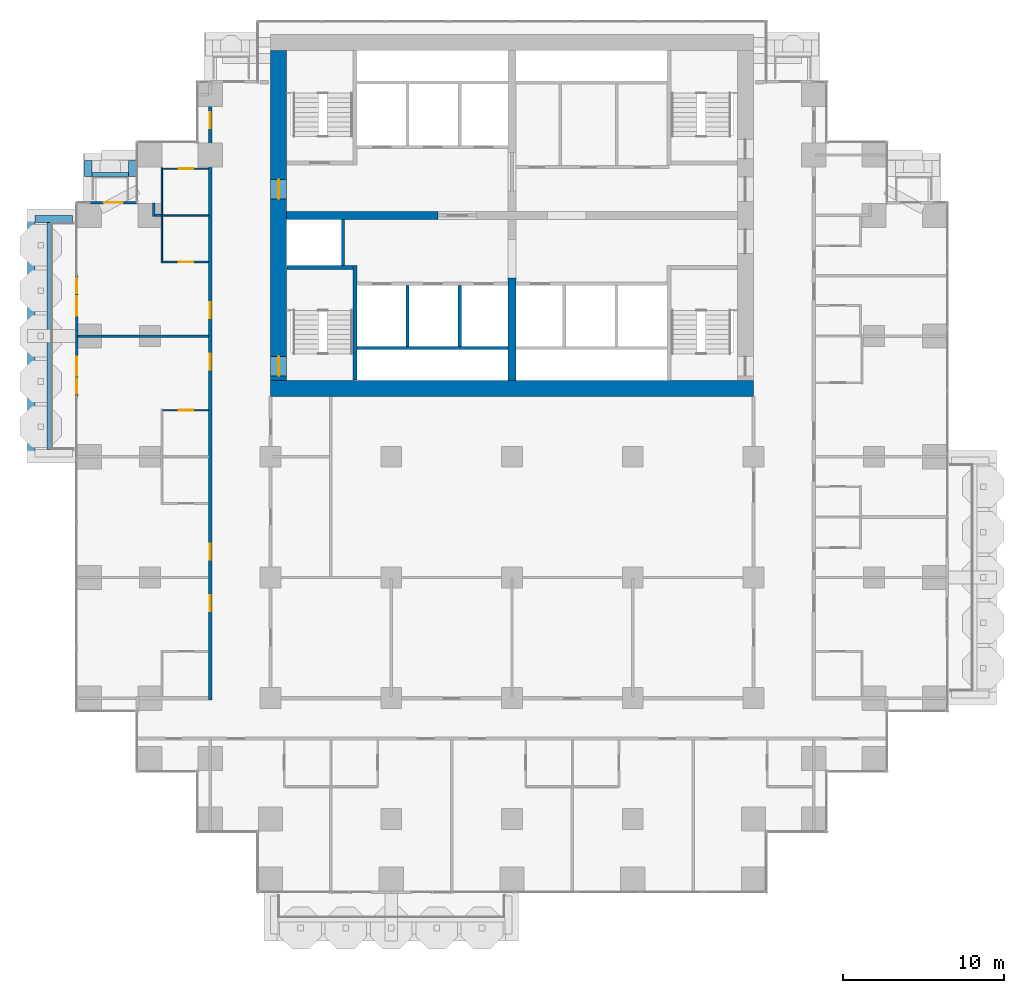
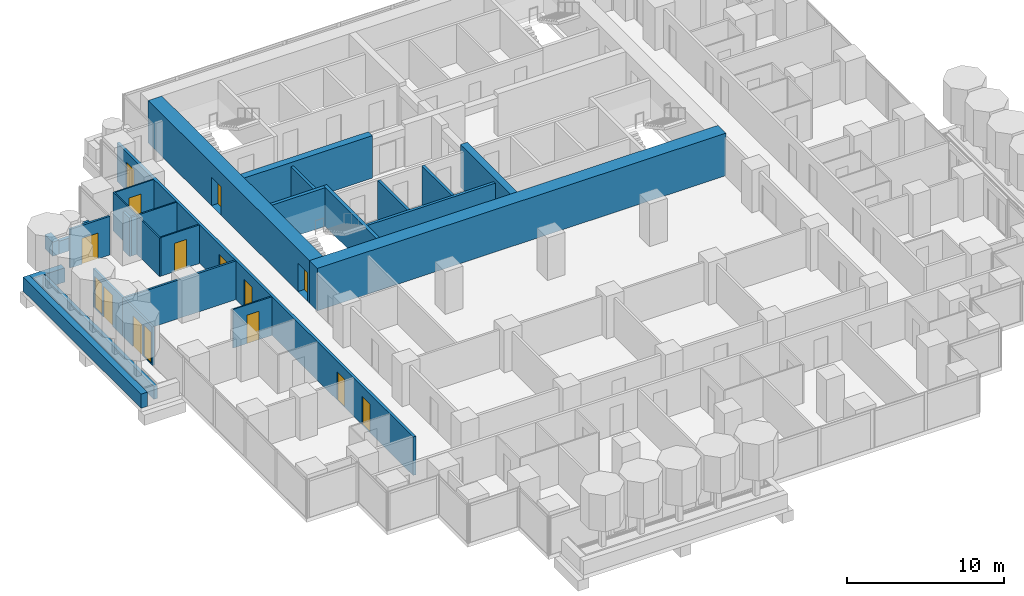
# One storey, part 12 of 18: 28 walls, 13 doors, 2 windows, 15 openings.
"""IFC4 building model written with IfcOpenShell, lengths in metres."""

from ifc_helpers import new_model, si_unit, direction, frame, frame_2d, origin, place, context, subcontext, project, spatial, rectangle, extrude, material, layer, layer_set, type_object, element, fill, save


model = new_model("IFC4")

# Units and contexts
model_context = context("Model", 3, precision=1e-05, world=origin(), true_north=direction((0.0, 1.0)))
body_context = subcontext(model_context, "Body", "Model", "MODEL_VIEW")
ifc_project = project(units=[si_unit("LENGTHUNIT", "METRE"), si_unit("AREAUNIT", "SQUARE_METRE"), si_unit("VOLUMEUNIT", "CUBIC_METRE"), si_unit("PLANEANGLEUNIT", "RADIAN"), si_unit("MASSUNIT", "GRAM", prefix="KILO")], contexts=[model_context])

# Site, building, storey
site_placement = place(None, origin())
site = spatial("IfcSite", under=ifc_project, at=site_placement, CompositionType="ELEMENT")
building_placement = place(site_placement, origin())
building = spatial("IfcBuilding", under=site, at=building_placement, Name="Pilkhan Gate Tower", CompositionType="ELEMENT")
storey_placement = place(building_placement, frame((0.0, 0.0, 56.0)))
storey = spatial("IfcBuildingStorey", under=building, at=storey_placement, Name="L11", CompositionType="ELEMENT", Elevation=56.0)

# Walls
ifc_material_1 = material(Name="Concrete C40/50", Category="concrete")
ifc_layer_1 = layer(ifc_material_1, 0.25)
ifc_layer_set_1 = layer_set([ifc_layer_1], Name="Balcony planter BP250")
wall_type_1 = type_object("IfcWallType", Name="Balcony planter BP250", PredefinedType="USERDEFINED", material=ifc_layer_set_1)
wall_1_placement = place(storey_placement, frame((48.89990234375, 85.02490234375, 0.0), z_axis=(0.0, 0.0, 1.0), x_axis=(1.0, 0.0, 0.0)))
element("IfcWall", 1, at=wall_1_placement, inside=storey, type_object=wall_type_1, Name="Balcony planter L11 N", ObjectType="BALCONY PLANTER", PredefinedType="USERDEFINED", context=body_context, shape_type="SweptSolid", body=[
    extrude(rectangle(XDim=2.280029296875, YDim=0.25, at=frame_2d((1.14013671875, 0.0))), origin(), (0.0, 0.0, 1.0), 1.0),
])
wall_2_placement = place(storey_placement, frame((46.22509765625, 67.949951171875, 0.0), z_axis=(0.0, 0.0, 1.0), x_axis=(0.0, 1.0, 0.0)))
element("IfcWall", 2, at=wall_2_placement, inside=storey, type_object=wall_type_1, Name="Balcony planter L11 W", ObjectType="BALCONY PLANTER", PredefinedType="USERDEFINED", context=body_context, shape_type="SweptSolid", body=[
    extrude(rectangle(XDim=14.10009765625, YDim=0.25, at=frame_2d((7.050048828125, 0.0))), origin(), (0.0, 0.0, 1.0), 1.0),
])
ifc_material_2 = material(Name="Board-marked Concrete C40/50", Category="concrete")
ifc_layer_2 = layer(ifc_material_2, 0.449951171875)
ifc_layer_set_2 = layer_set([ifc_layer_2], Name="Balcony planter lip BL450")
wall_type_2 = type_object("IfcWallType", Name="Balcony planter lip BL450", PredefinedType="USERDEFINED", material=ifc_layer_set_2)
for number, where, z_axis, x_axis, name in (
    (3, (48.675048828125, 84.89990234375, 0.0), (0.0, 0.0, 1.0), (0.0, 1.0, 0.0), "Balcony planter L11 N"),
    (4, (51.405029296875, 84.89990234375, 0.0), (0.0, 0.0, 1.0), (0.0, 1.0, 0.0), "Balcony planter L11 N"),
):
    element("IfcWall", number, at=place(storey_placement, frame(where, z_axis=z_axis, x_axis=x_axis)), inside=storey, type_object=wall_type_2, Name=name, ObjectType="BALCONY PLANTER", PredefinedType="USERDEFINED", context=body_context, shape_type="SweptSolid", body=[
        extrude(rectangle(XDim=1.0, YDim=0.449951171875, at=frame_2d((0.5, 0.0))), origin(), (0.0, 0.0, 1.0), 1.10009765625),
    ])
wall_3_placement = place(storey_placement, frame((45.125, 67.5, 0.0), z_axis=(0.0, 0.0, 1.0), x_axis=(0.0, 1.0, 0.0)))
element("IfcWall", 5, at=wall_3_placement, inside=storey, type_object=wall_type_2, Name="Balcony planter L11 W", ObjectType="BALCONY PLANTER", PredefinedType="USERDEFINED", context=body_context, shape_type="SweptSolid", body=[
    extrude(rectangle(XDim=15.0, YDim=0.449951171875, at=frame_2d((7.5, 0.0))), origin(), (0.0, 0.0, 1.0), 1.10009765625),
])
wall_4_placement = place(storey_placement, frame((47.699951171875, 82.27490234375, 0.0), z_axis=(0.0, 0.0, 1.0), x_axis=(-1.0, 0.0, 0.0)))
element("IfcWall", 6, at=wall_4_placement, inside=storey, type_object=wall_type_2, Name="Balcony planter L11 W", ObjectType="BALCONY PLANTER", PredefinedType="USERDEFINED", context=body_context, shape_type="SweptSolid", body=[
    extrude(rectangle(XDim=2.349853515625, YDim=0.449951171875, at=frame_2d((1.1748046875, 0.0))), origin(), (0.0, 0.0, 1.0), 1.10009765625),
])
ifc_material_3 = material(Name="Concrete C70/85", Category="concrete")
ifc_layer_3 = layer(ifc_material_3, 1.0)
ifc_layer_set_3 = layer_set([ifc_layer_3], Name="Core wall CW1000 C70/85")
wall_type_3 = type_object("IfcWallType", Name="Core wall CW1000 C70/85", PredefinedType="SHEAR", material=ifc_layer_set_3)
wall_5_placement = place(storey_placement, frame((60.0, 71.75, 0.0), z_axis=(0.0, 0.0, 1.0), x_axis=(1.0, 0.0, 0.0)))
element("IfcWall", 7, at=wall_5_placement, inside=storey, type_object=wall_type_3, Name="Core wall S L11", PredefinedType="SHEAR", context=body_context, shape_type="SweptSolid", body=[
    extrude(rectangle(XDim=30.0, YDim=1.0, at=frame_2d((15.0, 0.0))), origin(), (0.0, 0.0, 1.0), 3.300048828125),
])

# Wall, openings, doors
wall_6_placement = place(storey_placement, frame((60.5, 92.75, 0.0), z_axis=(0.0, 0.0, 1.0), x_axis=(0.0, -1.0, 0.0)))
wall_6 = element("IfcWall", 8, at=wall_6_placement, inside=storey, type_object=wall_type_3, Name="Core wall W L11", PredefinedType="SHEAR", context=body_context, shape_type="SweptSolid", body=[
    extrude(rectangle(XDim=20.5, YDim=1.0, at=frame_2d((10.25, 0.0))), origin(), (0.0, 0.0, 1.0), 3.300048828125),
])
opening_1_placement = place(wall_6_placement, frame((19.02490234375, 0.0, 0.0)))
opening_1 = element("IfcOpeningElement", 9, at=opening_1_placement, cuts=wall_6, Name="Opening L11-04", PredefinedType="OPENING", context=body_context, shape_type="SweptSolid", body=[
    extrude(rectangle(XDim=1.199951171875, YDim=2.199951171875, at=frame_2d((0.60009765625, 1.10009765625))), frame((0.0, 0.510009765625, 0.0), z_axis=(0.0, -1.0, 0.0), x_axis=(1.0, 0.0, 0.0)), (0.0, 0.0, 1.0), 1.02001953125),
])
opening_2_placement = place(wall_6_placement, frame((8.02490234375, 0.0, 0.0)))
opening_2 = element("IfcOpeningElement", 10, at=opening_2_placement, cuts=wall_6, Name="Opening L11-39", PredefinedType="OPENING", context=body_context, shape_type="SweptSolid", body=[
    extrude(rectangle(XDim=1.199951171875, YDim=2.199951171875, at=frame_2d((0.60009765625, 1.10009765625))), frame((0.0, 0.510009765625, 0.0), z_axis=(0.0, -1.0, 0.0), x_axis=(1.0, 0.0, 0.0)), (0.0, 0.0, 1.0), 1.02001953125),
])
ifc_material_4 = material(Name="Steel door, 120 minute fire resisting, self-closing", Category="steel")
door_type_1 = type_object("IfcDoorType", Name="Firefighting lobby door D10 1200x2200", OperationType="SINGLE_SWING_LEFT", PredefinedType="DOOR", material=ifc_material_4)
door_1_placement = place(opening_2_placement, origin())
door_1 = element("IfcDoor", 11, at=door_1_placement, inside=storey, type_object=door_type_1, Name="Core door", OperationType="SINGLE_SWING_LEFT", OverallHeight=2.199951171875, OverallWidth=1.199951171875, PredefinedType="DOOR", context=body_context, shape_type="SweptSolid", body=[
    extrude(rectangle(XDim=1.199951171875, YDim=2.199951171875, at=frame_2d((0.60009765625, 1.10009765625))), frame((0.0, 0.02490234375, 0.0), z_axis=(0.0, -1.0, 0.0), x_axis=(1.0, 0.0, 0.0)), (0.0, 0.0, 1.0), 0.050048828125),
])
fill(opening_2, door_1)
ifc_material_5 = material(Name="Steel door, 120 minute fire resisting, panic bar", Category="steel")
door_type_2 = type_object("IfcDoorType", Name="Stair door D11 1200x2200", OperationType="SINGLE_SWING_LEFT", PredefinedType="DOOR", material=ifc_material_5)
door_2_placement = place(opening_1_placement, origin())
door_2 = element("IfcDoor", 12, at=door_2_placement, inside=storey, type_object=door_type_2, Name="Stair ST2 door", OperationType="SINGLE_SWING_LEFT", OverallHeight=2.199951171875, OverallWidth=1.199951171875, PredefinedType="DOOR", context=body_context, shape_type="SweptSolid", body=[
    extrude(rectangle(XDim=1.199951171875, YDim=2.199951171875, at=frame_2d((0.60009765625, 1.10009765625))), frame((0.0, 0.02490234375, 0.0), z_axis=(0.0, -1.0, 0.0), x_axis=(1.0, 0.0, 0.0)), (0.0, 0.0, 1.0), 0.050048828125),
])
fill(opening_1, door_2)

ifc_material_6 = material(Name="Dense blockwork", Category="masonry")
ifc_layer_4 = layer(ifc_material_6, 0.199951171875)
ifc_layer_set_4 = layer_set([ifc_layer_4], Name="Corridor wall FW200")
wall_type_4 = type_object("IfcWallType", Name="Corridor wall FW200", PredefinedType="PARTITIONING", material=ifc_layer_set_4)
wall_7_placement = place(storey_placement, frame((56.25, 52.39990234375, 0.0), z_axis=(0.0, 0.0, 1.0), x_axis=(0.0, 1.0, 0.0)))
wall_7 = element("IfcWall", 13, at=wall_7_placement, inside=storey, type_object=wall_type_4, Name="Partition L11", PredefinedType="PARTITIONING", context=body_context, shape_type="SweptSolid", body=[
    extrude(rectangle(XDim=37.675048828125, YDim=0.199951171875, at=frame_2d((18.83740234375, 0.0))), origin(), (0.0, 0.0, 1.0), 3.0),
])
opening_3_placement = place(wall_7_placement, frame((5.5, 0.0, 0.0)))
opening_3 = element("IfcOpeningElement", 14, at=opening_3_placement, cuts=wall_7, Name="Opening L11-16", PredefinedType="OPENING", context=body_context, shape_type="SweptSolid", body=[
    extrude(rectangle(XDim=1.0, YDim=2.199951171875, at=frame_2d((0.5, 1.10009765625))), frame((0.0, 0.10986328125, 0.0), z_axis=(0.0, -1.0, 0.0), x_axis=(1.0, 0.0, 0.0)), (0.0, 0.0, 1.0), 0.219970703125),
])
opening_4_placement = place(wall_7_placement, frame((8.699951171875, 0.0, 0.0)))
opening_4 = element("IfcOpeningElement", 15, at=opening_4_placement, cuts=wall_7, Name="Opening L11-18", PredefinedType="OPENING", context=body_context, shape_type="SweptSolid", body=[
    extrude(rectangle(XDim=1.0, YDim=2.199951171875, at=frame_2d((0.5, 1.10009765625))), frame((0.0, 0.10986328125, 0.0), z_axis=(0.0, -1.0, 0.0), x_axis=(1.0, 0.0, 0.0)), (0.0, 0.0, 1.0), 0.219970703125),
])
opening_5_placement = place(wall_7_placement, frame((20.5, 0.0, 0.0)))
opening_5 = element("IfcOpeningElement", 16, at=opening_5_placement, cuts=wall_7, Name="Opening L11-20", PredefinedType="OPENING", context=body_context, shape_type="SweptSolid", body=[
    extrude(rectangle(XDim=1.0, YDim=2.199951171875, at=frame_2d((0.5, 1.10009765625))), frame((0.0, 0.10986328125, 0.0), z_axis=(0.0, -1.0, 0.0), x_axis=(1.0, 0.0, 0.0)), (0.0, 0.0, 1.0), 0.219970703125),
])
opening_6_placement = place(wall_7_placement, frame((23.699951171875, 0.0, 0.0)))
opening_6 = element("IfcOpeningElement", 17, at=opening_6_placement, cuts=wall_7, Name="Opening L11-22", PredefinedType="OPENING", context=body_context, shape_type="SweptSolid", body=[
    extrude(rectangle(XDim=1.0, YDim=2.199951171875, at=frame_2d((0.5, 1.10009765625))), frame((0.0, 0.10986328125, 0.0), z_axis=(0.0, -1.0, 0.0), x_axis=(1.0, 0.0, 0.0)), (0.0, 0.0, 1.0), 0.219970703125),
])
opening_7_placement = place(wall_7_placement, frame((35.5, 0.0, 0.0)))
opening_7 = element("IfcOpeningElement", 18, at=opening_7_placement, cuts=wall_7, Name="Opening L11-24", PredefinedType="OPENING", context=body_context, shape_type="SweptSolid", body=[
    extrude(rectangle(XDim=1.0, YDim=2.199951171875, at=frame_2d((0.5, 1.10009765625))), frame((0.0, 0.10986328125, 0.0), z_axis=(0.0, -1.0, 0.0), x_axis=(1.0, 0.0, 0.0)), (0.0, 0.0, 1.0), 0.219970703125),
])
ifc_material_7 = material(Name="Timber flush door, 30 minute fire resisting", Category="wood")
door_type_3 = type_object("IfcDoorType", Name="Guest room door D01 1000x2200", OperationType="SINGLE_SWING_LEFT", PredefinedType="DOOR", material=ifc_material_7)
door_3_placement = place(opening_3_placement, origin())
door_3 = element("IfcDoor", 19, at=door_3_placement, inside=storey, type_object=door_type_3, Name="Guest room door", OperationType="SINGLE_SWING_LEFT", OverallHeight=2.199951171875, OverallWidth=1.0, PredefinedType="DOOR", context=body_context, shape_type="SweptSolid", body=[
    extrude(rectangle(XDim=1.0, YDim=2.199951171875, at=frame_2d((0.5, 1.10009765625))), frame((0.0, 0.02490234375, 0.0), z_axis=(0.0, -1.0, 0.0), x_axis=(1.0, 0.0, 0.0)), (0.0, 0.0, 1.0), 0.050048828125),
])
fill(opening_3, door_3)
door_4_placement = place(opening_4_placement, origin())
door_4 = element("IfcDoor", 20, at=door_4_placement, inside=storey, type_object=door_type_3, Name="Guest room door", OperationType="SINGLE_SWING_RIGHT", OverallHeight=2.199951171875, OverallWidth=1.0, PredefinedType="DOOR", context=body_context, shape_type="SweptSolid", body=[
    extrude(rectangle(XDim=1.0, YDim=2.199951171875, at=frame_2d((0.5, 1.10009765625))), frame((0.0, 0.02490234375, 0.0), z_axis=(0.0, -1.0, 0.0), x_axis=(1.0, 0.0, 0.0)), (0.0, 0.0, 1.0), 0.050048828125),
])
fill(opening_4, door_4)
door_5_placement = place(opening_5_placement, origin())
door_5 = element("IfcDoor", 21, at=door_5_placement, inside=storey, type_object=door_type_3, Name="Guest room door", OperationType="SINGLE_SWING_LEFT", OverallHeight=2.199951171875, OverallWidth=1.0, PredefinedType="DOOR", context=body_context, shape_type="SweptSolid", body=[
    extrude(rectangle(XDim=1.0, YDim=2.199951171875, at=frame_2d((0.5, 1.10009765625))), frame((0.0, 0.02490234375, 0.0), z_axis=(0.0, -1.0, 0.0), x_axis=(1.0, 0.0, 0.0)), (0.0, 0.0, 1.0), 0.050048828125),
])
fill(opening_5, door_5)
door_6_placement = place(opening_6_placement, origin())
door_6 = element("IfcDoor", 22, at=door_6_placement, inside=storey, type_object=door_type_3, Name="Guest room door", OperationType="SINGLE_SWING_LEFT", OverallHeight=2.199951171875, OverallWidth=1.0, PredefinedType="DOOR", context=body_context, shape_type="SweptSolid", body=[
    extrude(rectangle(XDim=1.0, YDim=2.199951171875, at=frame_2d((0.5, 1.10009765625))), frame((0.0, 0.02490234375, 0.0), z_axis=(0.0, -1.0, 0.0), x_axis=(1.0, 0.0, 0.0)), (0.0, 0.0, 1.0), 0.050048828125),
])
fill(opening_6, door_6)
door_7_placement = place(opening_7_placement, origin())
door_7 = element("IfcDoor", 23, at=door_7_placement, inside=storey, type_object=door_type_3, Name="Guest room door", OperationType="SINGLE_SWING_LEFT", OverallHeight=2.199951171875, OverallWidth=1.0, PredefinedType="DOOR", context=body_context, shape_type="SweptSolid", body=[
    extrude(rectangle(XDim=1.0, YDim=2.199951171875, at=frame_2d((0.5, 1.10009765625))), frame((0.0, 0.02490234375, 0.0), z_axis=(0.0, -1.0, 0.0), x_axis=(1.0, 0.0, 0.0)), (0.0, 0.0, 1.0), 0.050048828125),
])
fill(opening_7, door_7)

# Wall, opening, door
ifc_material_8 = material(Name="Pale anodised aluminium, clear laminated glazing", Category="aluminium")
ifc_layer_5 = layer(ifc_material_8, 0.14990234375)
ifc_layer_set_5 = layer_set([ifc_layer_5], Name="Facade infill wall IW150")
wall_type_5 = type_object("IfcWallType", Name="Facade infill wall IW150", PredefinedType="SOLIDWALL", material=ifc_layer_set_5)
wall_8_placement = place(storey_placement, frame((48.75, 83.294921875, 0.0), z_axis=(0.0, 0.0, 1.0), x_axis=(1.0, 0.0, 0.0)))
wall_8 = element("IfcWall", 24, at=wall_8_placement, inside=storey, type_object=wall_type_5, Name="Infill wall L11 N", PredefinedType="SOLIDWALL", context=body_context, shape_type="SweptSolid", body=[
    extrude(rectangle(XDim=2.955078125, YDim=0.14990234375, at=frame_2d((1.4775390625, 0.0))), origin(), (0.0, 0.0, 1.0), 3.0),
])
opening_8_placement = place(wall_8_placement, frame((0.87744140625, 0.0, 0.0)))
opening_8 = element("IfcOpeningElement", 25, at=opening_8_placement, cuts=wall_8, Name="Opening D1L", PredefinedType="OPENING", context=body_context, shape_type="SweptSolid", body=[
    extrude(rectangle(XDim=1.199951171875, YDim=2.0, at=frame_2d((0.60009765625, 1.0))), frame((0.0, 0.0849609375, 0.0), z_axis=(0.0, -1.0, 0.0), x_axis=(1.0, 0.0, 0.0)), (0.0, 0.0, 1.0), 0.169921875),
])
ifc_material_9 = material(Name="Pale anodised aluminium, clear glazing", Category="aluminium")
door_type_4 = type_object("IfcDoorType", Name="Balcony door D1L 1200x2000", OperationType="SINGLE_SWING_LEFT", PredefinedType="DOOR", material=ifc_material_9)
door_8_placement = place(opening_8_placement, origin())
door_8 = element("IfcDoor", 26, at=door_8_placement, inside=storey, type_object=door_type_4, Name="Balcony door L11", OperationType="SINGLE_SWING_LEFT", OverallHeight=2.0, OverallWidth=1.199951171875, PredefinedType="DOOR", context=body_context, shape_type="SweptSolid", body=[
    extrude(rectangle(XDim=1.199951171875, YDim=2.0, at=frame_2d((0.60009765625, 1.0))), frame((0.0, 0.02490234375, 0.0), z_axis=(0.0, -1.0, 0.0), x_axis=(1.0, 0.0, 0.0)), (0.0, 0.0, 1.0), 0.050048828125),
])
fill(opening_8, door_8)

# Wall, openings, door, window
wall_9_placement = place(storey_placement, frame((47.955078125, 71.25, 0.0), z_axis=(0.0, 0.0, 1.0), x_axis=(0.0, 1.0, 0.0)))
wall_9 = element("IfcWall", 27, at=wall_9_placement, inside=storey, type_object=wall_type_5, Name="Infill wall L11 W", PredefinedType="SOLIDWALL", context=body_context, shape_type="SweptSolid", body=[
    extrude(rectangle(XDim=3.75, YDim=0.14990234375, at=frame_2d((1.875, 0.0))), origin(), (0.0, 0.0, 1.0), 3.0),
])
opening_9_placement = place(wall_9_placement, frame((0.1875, 0.0, 0.10009765625)))
opening_9 = element("IfcOpeningElement", 28, at=opening_9_placement, cuts=wall_9, Name="Opening W1", PredefinedType="OPENING", context=body_context, shape_type="SweptSolid", body=[
    extrude(rectangle(XDim=0.89990234375, YDim=2.39990234375, at=frame_2d((0.449951171875, 1.199951171875))), frame((0.0, 0.0849609375, 0.0), z_axis=(0.0, -1.0, 0.0), x_axis=(1.0, 0.0, 0.0)), (0.0, 0.0, 1.0), 0.169921875),
])
opening_10_placement = place(wall_9_placement, frame((1.27490234375, 0.0, 0.0)))
opening_10 = element("IfcOpeningElement", 29, at=opening_10_placement, cuts=wall_9, Name="Opening D1", PredefinedType="OPENING", context=body_context, shape_type="SweptSolid", body=[
    extrude(rectangle(XDim=1.199951171875, YDim=2.39990234375, at=frame_2d((0.60009765625, 1.199951171875))), frame((0.0, 0.0849609375, 0.0), z_axis=(0.0, -1.0, 0.0), x_axis=(1.0, 0.0, 0.0)), (0.0, 0.0, 1.0), 0.169921875),
])
door_type_5 = type_object("IfcDoorType", Name="Balcony door D1 1200x2400", OperationType="SINGLE_SWING_LEFT", PredefinedType="DOOR", material=ifc_material_9)
door_9_placement = place(opening_10_placement, origin())
door_9 = element("IfcDoor", 30, at=door_9_placement, inside=storey, type_object=door_type_5, Name="Balcony door L11", OperationType="SINGLE_SWING_LEFT", OverallHeight=2.39990234375, OverallWidth=1.199951171875, PredefinedType="DOOR", context=body_context, shape_type="SweptSolid", body=[
    extrude(rectangle(XDim=1.199951171875, YDim=2.39990234375, at=frame_2d((0.60009765625, 1.199951171875))), frame((0.0, 0.02490234375, 0.0), z_axis=(0.0, -1.0, 0.0), x_axis=(1.0, 0.0, 0.0)), (0.0, 0.0, 1.0), 0.050048828125),
])
fill(opening_10, door_9)
ifc_material_10 = material(Name="Pale anodised aluminium, clear double glazing", Category="aluminium")
window_type = type_object("IfcWindowType", Name="Window W1 900x2400", PartitioningType="SINGLE_PANEL", PredefinedType="WINDOW", material=ifc_material_10)
window_1_placement = place(opening_9_placement, origin())
window_1 = element("IfcWindow", 31, at=window_1_placement, inside=storey, type_object=window_type, Name="Window L11", OverallHeight=2.39990234375, OverallWidth=0.89990234375, PartitioningType="SINGLE_PANEL", PredefinedType="WINDOW", context=body_context, shape_type="SweptSolid", body=[
    extrude(rectangle(XDim=0.89990234375, YDim=2.39990234375, at=frame_2d((0.449951171875, 1.199951171875))), frame((0.0, 0.030029296875, 0.0), z_axis=(0.0, -1.0, 0.0), x_axis=(1.0, 0.0, 0.0)), (0.0, 0.0, 1.0), 0.06005859375),
])
fill(opening_9, window_1)

wall_10_placement = place(storey_placement, frame((47.955078125, 75.0, 0.0), z_axis=(0.0, 0.0, 1.0), x_axis=(0.0, 1.0, 0.0)))
wall_10 = element("IfcWall", 32, at=wall_10_placement, inside=storey, type_object=wall_type_5, Name="Infill wall L11 W", PredefinedType="SOLIDWALL", context=body_context, shape_type="SweptSolid", body=[
    extrude(rectangle(XDim=3.75, YDim=0.14990234375, at=frame_2d((1.875, 0.0))), origin(), (0.0, 0.0, 1.0), 3.0),
])
opening_11_placement = place(wall_10_placement, frame((1.27490234375, 0.0, 0.0)))
opening_11 = element("IfcOpeningElement", 33, at=opening_11_placement, cuts=wall_10, Name="Opening D1", PredefinedType="OPENING", context=body_context, shape_type="SweptSolid", body=[
    extrude(rectangle(XDim=1.199951171875, YDim=2.39990234375, at=frame_2d((0.60009765625, 1.199951171875))), frame((0.0, 0.0849609375, 0.0), z_axis=(0.0, -1.0, 0.0), x_axis=(1.0, 0.0, 0.0)), (0.0, 0.0, 1.0), 0.169921875),
])
opening_12_placement = place(wall_10_placement, frame((2.66259765625, 0.0, 0.10009765625)))
opening_12 = element("IfcOpeningElement", 34, at=opening_12_placement, cuts=wall_10, Name="Opening W1", PredefinedType="OPENING", context=body_context, shape_type="SweptSolid", body=[
    extrude(rectangle(XDim=0.89990234375, YDim=2.39990234375, at=frame_2d((0.449951171875, 1.199951171875))), frame((0.0, 0.0849609375, 0.0), z_axis=(0.0, -1.0, 0.0), x_axis=(1.0, 0.0, 0.0)), (0.0, 0.0, 1.0), 0.169921875),
])
door_10_placement = place(opening_11_placement, origin())
door_10 = element("IfcDoor", 35, at=door_10_placement, inside=storey, type_object=door_type_5, Name="Balcony door L11", OperationType="SINGLE_SWING_LEFT", OverallHeight=2.39990234375, OverallWidth=1.199951171875, PredefinedType="DOOR", context=body_context, shape_type="SweptSolid", body=[
    extrude(rectangle(XDim=1.199951171875, YDim=2.39990234375, at=frame_2d((0.60009765625, 1.199951171875))), frame((0.0, 0.02490234375, 0.0), z_axis=(0.0, -1.0, 0.0), x_axis=(1.0, 0.0, 0.0)), (0.0, 0.0, 1.0), 0.050048828125),
])
fill(opening_11, door_10)
window_2_placement = place(opening_12_placement, origin())
window_2 = element("IfcWindow", 36, at=window_2_placement, inside=storey, type_object=window_type, Name="Window L11", OverallHeight=2.39990234375, OverallWidth=0.89990234375, PartitioningType="SINGLE_PANEL", PredefinedType="WINDOW", context=body_context, shape_type="SweptSolid", body=[
    extrude(rectangle(XDim=0.89990234375, YDim=2.39990234375, at=frame_2d((0.449951171875, 1.199951171875))), frame((0.0, 0.030029296875, 0.0), z_axis=(0.0, -1.0, 0.0), x_axis=(1.0, 0.0, 0.0)), (0.0, 0.0, 1.0), 0.06005859375),
])
fill(opening_12, window_2)

# Walls
ifc_material_11 = material(Name="Blockwork partition, plastered both sides", Category="masonry")
ifc_layer_6 = layer(ifc_material_11, 0.14990234375)
ifc_layer_set_6 = layer_set([ifc_layer_6], Name="Partition PW150")
wall_type_6 = type_object("IfcWallType", Name="Partition PW150", PredefinedType="PARTITIONING", material=ifc_layer_set_6)
wall_11_placement = place(storey_placement, frame((48.0400390625, 75.0, 0.0), z_axis=(0.0, 0.0, 1.0), x_axis=(1.0, 0.0, 0.0)))
element("IfcWall", 37, at=wall_11_placement, inside=storey, type_object=wall_type_6, Name="Partition L11", PredefinedType="PARTITIONING", context=body_context, shape_type="SweptSolid", body=[
    extrude(rectangle(XDim=8.10986328125, YDim=0.14990234375, at=frame_2d((4.054931640625, 0.0))), origin(), (0.0, 0.0, 1.0), 3.0),
])
wall_12_placement = place(storey_placement, frame((52.81005859375, 82.5, 0.0), z_axis=(0.0, 0.0, 1.0), x_axis=(1.0, 0.0, 0.0)))
element("IfcWall", 38, at=wall_12_placement, inside=storey, type_object=wall_type_6, Name="Partition L11", PredefinedType="PARTITIONING", context=body_context, shape_type="SweptSolid", body=[
    extrude(rectangle(XDim=0.389892578125, YDim=0.14990234375, at=frame_2d((0.19482421875, 0.0))), origin(), (0.0, 0.0, 1.0), 3.0),
])
wall_13_placement = place(storey_placement, frame((52.735107421875, 82.425048828125, 0.0), z_axis=(0.0, 0.0, 1.0), x_axis=(0.0, 1.0, 0.0)))
element("IfcWall", 39, at=wall_13_placement, inside=storey, type_object=wall_type_6, Name="Partition L11", PredefinedType="PARTITIONING", context=body_context, shape_type="SweptSolid", body=[
    extrude(rectangle(XDim=0.83984375, YDim=0.14990234375, at=frame_2d((0.419921875, 0.0))), origin(), (0.0, 0.0, 1.0), 3.0),
])
ifc_material_12 = material(Name="Reinforced blockwork shaft wall, 120 minute fire resisting", Category="masonry")
ifc_layer_7 = layer(ifc_material_12, 0.199951171875)
ifc_layer_set_7 = layer_set([ifc_layer_7], Name="Shaft wall SW200")
wall_type_7 = type_object("IfcWallType", Name="Shaft wall SW200", PredefinedType="PARTITIONING", material=ifc_layer_set_7)
wall_14_placement = place(storey_placement, frame((65.375, 74.25, 0.0), z_axis=(0.0, 0.0, 1.0), x_axis=(1.0, 0.0, 0.0)))
element("IfcWall", 40, at=wall_14_placement, inside=storey, type_object=wall_type_7, Name="Partition L11", PredefinedType="PARTITIONING", context=body_context, shape_type="SweptSolid", body=[
    extrude(rectangle(XDim=9.364990234375, YDim=0.199951171875, at=frame_2d((4.6826171875, 0.0))), origin(), (0.0, 0.0, 1.0), 3.0),
])
wall_15_placement = place(storey_placement, frame((64.5, 79.375, 0.0), z_axis=(0.0, 0.0, 1.0), x_axis=(0.0, 1.0, 0.0)))
element("IfcWall", 41, at=wall_15_placement, inside=storey, type_object=wall_type_7, Name="Partition L11", PredefinedType="PARTITIONING", context=body_context, shape_type="SweptSolid", body=[
    extrude(rectangle(XDim=2.864990234375, YDim=0.199951171875, at=frame_2d((1.4326171875, 0.0))), origin(), (0.0, 0.0, 1.0), 3.0),
])
for number, where, z_axis, x_axis, name in (
    (42, (68.5, 74.35009765625, 0.0), (0.0, 0.0, 1.0), (0.0, 1.0, 0.0), "Partition L11"),
    (43, (71.75, 74.35009765625, 0.0), (0.0, 0.0, 1.0), (0.0, 1.0, 0.0), "Partition L11"),
):
    element("IfcWall", number, at=place(storey_placement, frame(where, z_axis=z_axis, x_axis=x_axis)), inside=storey, type_object=wall_type_7, Name=name, PredefinedType="PARTITIONING", context=body_context, shape_type="SweptSolid", body=[
        extrude(rectangle(XDim=3.7998046875, YDim=0.199951171875, at=frame_2d((1.89990234375, 0.0))), origin(), (0.0, 0.0, 1.0), 3.0),
    ])
ifc_layer_8 = layer(ifc_material_3, 0.5)
ifc_layer_set_8 = layer_set([ifc_layer_8], Name="Spine wall SW500 C70/85")
wall_type_8 = type_object("IfcWallType", Name="Spine wall SW500 C70/85", PredefinedType="SHEAR", material=ifc_layer_set_8)
wall_16_placement = place(storey_placement, frame((61.0, 82.5, 0.0), z_axis=(0.0, 0.0, 1.0), x_axis=(1.0, 0.0, 0.0)))
element("IfcWall", 44, at=wall_16_placement, inside=storey, type_object=wall_type_8, Name="Spine wall SP-EW1 L11", PredefinedType="SHEAR", context=body_context, shape_type="SweptSolid", body=[
    extrude(rectangle(XDim=9.39990234375, YDim=0.5, at=frame_2d((4.699951171875, 0.0))), origin(), (0.0, 0.0, 1.0), 3.300048828125),
])
wall_17_placement = place(storey_placement, frame((75.0, 72.25, 0.0), z_axis=(0.0, 0.0, 1.0), x_axis=(0.0, 1.0, 0.0)))
element("IfcWall", 45, at=wall_17_placement, inside=storey, type_object=wall_type_8, Name="Spine wall SP-NS-S1 L11", PredefinedType="SHEAR", context=body_context, shape_type="SweptSolid", body=[
    extrude(rectangle(XDim=6.35009765625, YDim=0.5, at=frame_2d((3.175048828125, 0.0))), origin(), (0.0, 0.0, 1.0), 3.300048828125),
])
ifc_material_13 = material(Name="Reinforced blockwork, 120 minute fire resisting", Category="masonry")
ifc_layer_9 = layer(ifc_material_13, 0.25)
ifc_layer_set_9 = layer_set([ifc_layer_9], Name="Stair enclosure wall SE250")
wall_type_9 = type_object("IfcWallType", Name="Stair enclosure wall SE250", PredefinedType="PARTITIONING", material=ifc_layer_set_9)
wall_18_placement = place(storey_placement, frame((61.010009765625, 79.25, 0.0), z_axis=(0.0, 0.0, 1.0), x_axis=(1.0, 0.0, 0.0)))
element("IfcWall", 46, at=wall_18_placement, inside=storey, type_object=wall_type_9, Name="Partition L11", PredefinedType="PARTITIONING", context=body_context, shape_type="SweptSolid", body=[
    extrude(rectangle(XDim=4.114990234375, YDim=0.25, at=frame_2d((2.0576171875, 0.0))), origin(), (0.0, 0.0, 1.0), 3.0),
])
wall_19_placement = place(storey_placement, frame((65.25, 72.260009765625, 0.0), z_axis=(0.0, 0.0, 1.0), x_axis=(0.0, 1.0, 0.0)))
element("IfcWall", 47, at=wall_19_placement, inside=storey, type_object=wall_type_9, Name="Partition L11", PredefinedType="PARTITIONING", context=body_context, shape_type="SweptSolid", body=[
    extrude(rectangle(XDim=7.114990234375, YDim=0.25, at=frame_2d((3.5576171875, 0.0))), origin(), (0.0, 0.0, 1.0), 3.0),
])

# Wall, opening, door
ifc_material_14 = material(Name="Moisture resistant board, tiled")
ifc_layer_10 = layer(ifc_material_14, 0.10009765625)
ifc_layer_set_10 = layer_set([ifc_layer_10], Name="Wet wall PW100")
wall_type_10 = type_object("IfcWallType", Name="Wet wall PW100", PredefinedType="PARTITIONING", material=ifc_layer_set_10)
wall_20_placement = place(storey_placement, frame((53.300048828125, 70.39990234375, 0.0), z_axis=(0.0, 0.0, 1.0), x_axis=(1.0, 0.0, 0.0)))
wall_20 = element("IfcWall", 48, at=wall_20_placement, inside=storey, type_object=wall_type_10, Name="Partition L11", PredefinedType="PARTITIONING", context=body_context, shape_type="SweptSolid", body=[
    extrude(rectangle(XDim=2.849853515625, YDim=0.10009765625, at=frame_2d((1.4248046875, 0.0))), origin(), (0.0, 0.0, 1.0), 3.0),
])
opening_13_placement = place(wall_20_placement, frame((1.0, 0.0, 0.0)))
opening_13 = element("IfcOpeningElement", 49, at=opening_13_placement, cuts=wall_20, Name="Opening L11-21", PredefinedType="OPENING", context=body_context, shape_type="SweptSolid", body=[
    extrude(rectangle(XDim=0.89990234375, YDim=2.199951171875, at=frame_2d((0.449951171875, 1.10009765625))), frame((0.0, 0.06005859375, 0.0), z_axis=(0.0, -1.0, 0.0), x_axis=(1.0, 0.0, 0.0)), (0.0, 0.0, 1.0), 0.1201171875),
])
ifc_material_15 = material(Name="Timber flush door", Category="wood")
door_type_6 = type_object("IfcDoorType", Name="Bathroom door D02 900x2200", OperationType="SINGLE_SWING_RIGHT", PredefinedType="DOOR", material=ifc_material_15)
door_11_placement = place(opening_13_placement, origin())
door_11 = element("IfcDoor", 50, at=door_11_placement, inside=storey, type_object=door_type_6, Name="Bathroom door", OperationType="SINGLE_SWING_RIGHT", OverallHeight=2.199951171875, OverallWidth=0.89990234375, PredefinedType="DOOR", context=body_context, shape_type="SweptSolid", body=[
    extrude(rectangle(XDim=0.89990234375, YDim=2.199951171875, at=frame_2d((0.449951171875, 1.10009765625))), frame((0.0, 0.02490234375, 0.0), z_axis=(0.0, -1.0, 0.0), x_axis=(1.0, 0.0, 0.0)), (0.0, 0.0, 1.0), 0.050048828125),
])
fill(opening_13, door_11)

wall_21_placement = place(storey_placement, frame((53.300048828125, 79.60009765625, 0.0), z_axis=(0.0, 0.0, 1.0), x_axis=(1.0, 0.0, 0.0)))
wall_21 = element("IfcWall", 51, at=wall_21_placement, inside=storey, type_object=wall_type_10, Name="Partition L11", PredefinedType="PARTITIONING", context=body_context, shape_type="SweptSolid", body=[
    extrude(rectangle(XDim=2.849853515625, YDim=0.10009765625, at=frame_2d((1.4248046875, 0.0))), origin(), (0.0, 0.0, 1.0), 3.0),
])
opening_14_placement = place(wall_21_placement, frame((1.0, 0.0, 0.0)))
opening_14 = element("IfcOpeningElement", 52, at=opening_14_placement, cuts=wall_21, Name="Opening L11-23", PredefinedType="OPENING", context=body_context, shape_type="SweptSolid", body=[
    extrude(rectangle(XDim=0.89990234375, YDim=2.199951171875, at=frame_2d((0.449951171875, 1.10009765625))), frame((0.0, 0.06005859375, 0.0), z_axis=(0.0, -1.0, 0.0), x_axis=(1.0, 0.0, 0.0)), (0.0, 0.0, 1.0), 0.1201171875),
])
door_12_placement = place(opening_14_placement, origin())
door_12 = element("IfcDoor", 53, at=door_12_placement, inside=storey, type_object=door_type_6, Name="Bathroom door", OperationType="SINGLE_SWING_RIGHT", OverallHeight=2.199951171875, OverallWidth=0.89990234375, PredefinedType="DOOR", context=body_context, shape_type="SweptSolid", body=[
    extrude(rectangle(XDim=0.89990234375, YDim=2.199951171875, at=frame_2d((0.449951171875, 1.10009765625))), frame((0.0, 0.02490234375, 0.0), z_axis=(0.0, -1.0, 0.0), x_axis=(1.0, 0.0, 0.0)), (0.0, 0.0, 1.0), 0.050048828125),
])
fill(opening_14, door_12)

# Wall
wall_22_placement = place(storey_placement, frame((53.300048828125, 82.5, 0.0), z_axis=(0.0, 0.0, 1.0), x_axis=(1.0, 0.0, 0.0)))
element("IfcWall", 54, at=wall_22_placement, inside=storey, type_object=wall_type_10, Name="Partition L11", PredefinedType="PARTITIONING", context=body_context, shape_type="SweptSolid", body=[
    extrude(rectangle(XDim=2.849853515625, YDim=0.10009765625, at=frame_2d((1.4248046875, 0.0))), origin(), (0.0, 0.0, 1.0), 3.0),
])

# Wall, opening, door
wall_23_placement = place(storey_placement, frame((53.300048828125, 85.39990234375, 0.0), z_axis=(0.0, 0.0, 1.0), x_axis=(1.0, 0.0, 0.0)))
wall_23 = element("IfcWall", 55, at=wall_23_placement, inside=storey, type_object=wall_type_10, Name="Partition L11", PredefinedType="PARTITIONING", context=body_context, shape_type="SweptSolid", body=[
    extrude(rectangle(XDim=2.849853515625, YDim=0.10009765625, at=frame_2d((1.4248046875, 0.0))), origin(), (0.0, 0.0, 1.0), 3.0),
])
opening_15_placement = place(wall_23_placement, frame((1.0, 0.0, 0.0)))
opening_15 = element("IfcOpeningElement", 56, at=opening_15_placement, cuts=wall_23, Name="Opening L11-25", PredefinedType="OPENING", context=body_context, shape_type="SweptSolid", body=[
    extrude(rectangle(XDim=0.89990234375, YDim=2.199951171875, at=frame_2d((0.449951171875, 1.10009765625))), frame((0.0, 0.06005859375, 0.0), z_axis=(0.0, -1.0, 0.0), x_axis=(1.0, 0.0, 0.0)), (0.0, 0.0, 1.0), 0.1201171875),
])
door_13_placement = place(opening_15_placement, origin())
door_13 = element("IfcDoor", 57, at=door_13_placement, inside=storey, type_object=door_type_6, Name="Bathroom door", OperationType="SINGLE_SWING_RIGHT", OverallHeight=2.199951171875, OverallWidth=0.89990234375, PredefinedType="DOOR", context=body_context, shape_type="SweptSolid", body=[
    extrude(rectangle(XDim=0.89990234375, YDim=2.199951171875, at=frame_2d((0.449951171875, 1.10009765625))), frame((0.0, 0.02490234375, 0.0), z_axis=(0.0, -1.0, 0.0), x_axis=(1.0, 0.0, 0.0)), (0.0, 0.0, 1.0), 0.050048828125),
])
fill(opening_15, door_13)

# Wall
wall_24_placement = place(storey_placement, frame((53.25, 79.550048828125, 0.0), z_axis=(0.0, 0.0, 1.0), x_axis=(0.0, 1.0, 0.0)))
element("IfcWall", 58, at=wall_24_placement, inside=storey, type_object=wall_type_10, Name="Partition L11", PredefinedType="PARTITIONING", context=body_context, shape_type="SweptSolid", body=[
    extrude(rectangle(XDim=5.89990234375, YDim=0.10009765625, at=frame_2d((2.949951171875, 0.0))), origin(), (0.0, 0.0, 1.0), 3.0),
])

save(model, "model.ifc")
